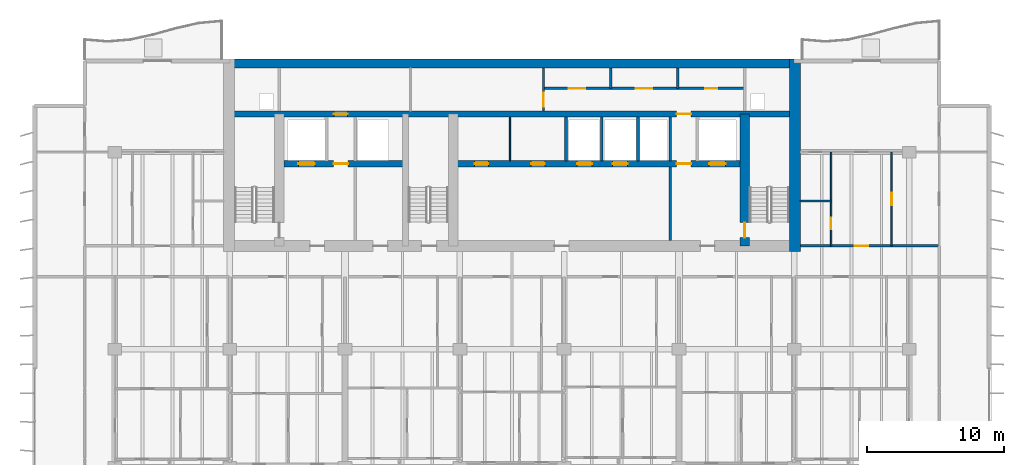
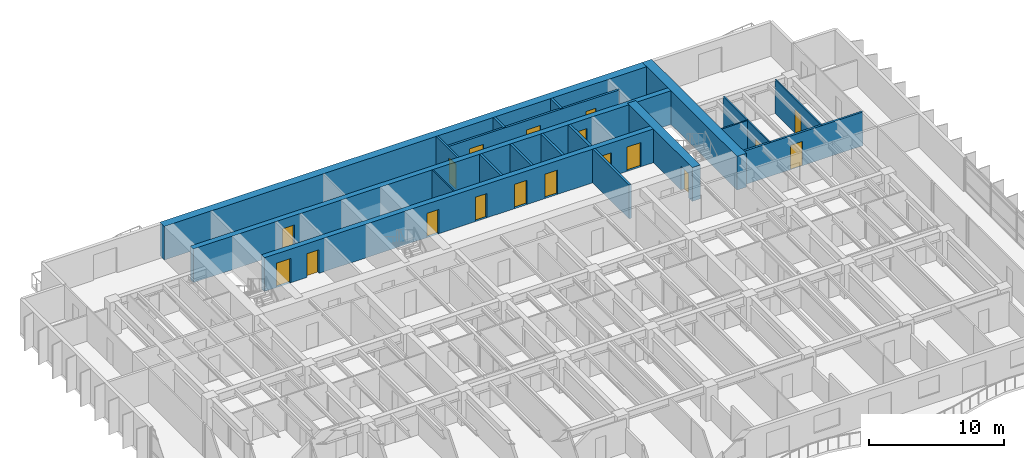
# One storey, part 12 of 18: 19 walls, 18 doors, 18 openings.
"""IFC4 building model written with IfcOpenShell, lengths in metres."""

from ifc_helpers import new_model, si_unit, direction, frame, frame_2d, origin, place, context, subcontext, project, spatial, rectangle, extrude, material, layer, layer_set, type_object, element, fill, save


model = new_model("IFC4")

# Units and contexts
model_context = context("Model", 3, precision=1e-05, world=origin(), true_north=direction((0.0, 1.0)))
body_context = subcontext(model_context, "Body", "Model", "MODEL_VIEW")
ifc_project = project(units=[si_unit("LENGTHUNIT", "METRE"), si_unit("AREAUNIT", "SQUARE_METRE"), si_unit("VOLUMEUNIT", "CUBIC_METRE"), si_unit("PLANEANGLEUNIT", "RADIAN"), si_unit("MASSUNIT", "GRAM", prefix="KILO")], contexts=[model_context])

# Site, building, storey
site_placement = place(None, origin())
site = spatial("IfcSite", under=ifc_project, at=site_placement, CompositionType="ELEMENT")
building_placement = place(site_placement, origin())
building = spatial("IfcBuilding", under=site, at=building_placement, Name="Caelmar Bay Residences", CompositionType="ELEMENT")
storey_placement = place(building_placement, frame((0.0, 0.0, 122.39990234375)))
storey = spatial("IfcBuildingStorey", under=building, at=storey_placement, Name="L33", CompositionType="ELEMENT", Elevation=122.39990234375)

# Wall, opening, door
ifc_material_1 = material(Name="Concrete f'c 55 MPa (8,000 psi)", Category="concrete")
ifc_layer_1 = layer(ifc_material_1, 0.699951171875)
ifc_layer_set_1 = layer_set([ifc_layer_1], Name="Concrete f'c 55 MPa (8,000 psi)")
wall_type_1 = type_object("IfcWallType", Name="SW-COR-700", PredefinedType="SHEAR", material=ifc_layer_set_1)
wall_1_placement = place(storey_placement, frame((55.89990234375, 36.949951171875, 0.0), z_axis=(0.0, 0.0, 1.0), x_axis=(0.0, 1.0, 0.0)))
wall_1 = element("IfcWall", 1, at=wall_1_placement, inside=storey, type_object=wall_type_1, Name="L33 Core Structural Web Wall ST2W", PredefinedType="SHEAR", context=body_context, shape_type="SweptSolid", body=[
    extrude(rectangle(XDim=9.625, YDim=0.699951171875, at=frame_2d((4.8125, 0.0))), origin(), (0.0, 0.0, 1.0), 3.050048828125),
])
opening_1_placement = place(wall_1_placement, frame((0.60009765625, 0.0, 0.0)))
opening_1 = element("IfcOpeningElement", 2, at=opening_1_placement, cuts=wall_1, Name="Opening D-L33-110", PredefinedType="OPENING", context=body_context, shape_type="SweptSolid", body=[
    extrude(rectangle(XDim=1.10009765625, YDim=2.14990234375, at=frame_2d((0.550048828125, 1.074951171875))), frame((0.0, 0.35986328125, 0.0), z_axis=(0.0, -1.0, 0.0), x_axis=(1.0, 0.0, 0.0)), (0.0, 0.0, 1.0), 0.719970703125),
])
ifc_material_2 = material(Name="Fire-rated steel and walnut architectural door assembly", Category="steel")
ifc_layer_2 = layer(ifc_material_2, 0.050048828125)
ifc_layer_set_2 = layer_set([ifc_layer_2], Name="Fire-rated steel and walnut architectural door assembly")
door_type_1 = type_object("IfcDoorType", Name="D-STAIR-1100", OperationType="NOTDEFINED", PredefinedType="DOOR", material=ifc_layer_set_2)
door_1_placement = place(opening_1_placement, origin())
door_1 = element("IfcDoor", 3, at=door_1_placement, inside=storey, type_object=door_type_1, Name="L33 Firefighting Lobby East Door", OperationType="SINGLE_SWING_RIGHT", OverallHeight=2.14990234375, OverallWidth=1.10009765625, PredefinedType="DOOR", context=body_context, shape_type="SweptSolid", body=[
    extrude(rectangle(XDim=1.10009765625, YDim=2.14990234375, at=frame_2d((0.550048828125, 1.074951171875))), frame((0.0, 0.02490234375, 0.0), z_axis=(0.0, -1.0, 0.0), x_axis=(1.0, 0.0, 0.0)), (0.0, 0.0, 1.0), 0.050048828125),
])
fill(opening_1, door_1)

# Walls
ifc_material_3 = material(Name="Concrete f'c 70 MPa (10,000 psi)", Category="concrete")
ifc_layer_3 = layer(ifc_material_3, 0.800048828125)
ifc_layer_set_3 = layer_set([ifc_layer_3], Name="Concrete f'c 70 MPa (10,000 psi)")
wall_type_2 = type_object("IfcWallType", Name="SW-COR-800", PredefinedType="SHEAR", material=ifc_layer_set_3)
wall_2_placement = place(storey_placement, frame((59.550048828125, 36.550048828125, 0.0), z_axis=(0.0, 0.0, 1.0), x_axis=(0.0, 1.0, 0.0)))
element("IfcWall", 4, at=wall_2_placement, inside=storey, type_object=wall_type_2, Name="L33 Rear Core East Shear Wall", PredefinedType="SHEAR", context=body_context, shape_type="SweptSolid", body=[
    extrude(rectangle(XDim=14.050048828125, YDim=0.800048828125, at=frame_2d((7.02490234375, 0.0))), origin(), (0.0, 0.0, 1.0), 3.050048828125),
])
ifc_layer_4 = layer(ifc_material_1, 0.64990234375)
ifc_layer_set_4 = layer_set([ifc_layer_4], Name="Concrete f'c 55 MPa (8,000 psi)")
wall_type_3 = type_object("IfcWallType", Name="SW-CORN-650", PredefinedType="SHEAR", material=ifc_layer_set_4)
wall_3_placement = place(storey_placement, frame((17.85009765625, 50.27490234375, 0.0), z_axis=(0.0, 0.0, 1.0), x_axis=(1.0, 0.0, 0.0)))
element("IfcWall", 5, at=wall_3_placement, inside=storey, type_object=wall_type_3, Name="L33 Rear Core North Shear Wall", PredefinedType="SHEAR", context=body_context, shape_type="SweptSolid", body=[
    extrude(rectangle(XDim=42.099853515625, YDim=0.64990234375, at=frame_2d((21.0498046875, 0.0))), origin(), (0.0, 0.0, 1.0), 3.050048828125),
])

# Wall, openings, doors
ifc_layer_5 = layer(ifc_material_3, 0.449951171875)
ifc_layer_set_5 = layer_set([ifc_layer_5], Name="Concrete f'c 70 MPa (10,000 psi)")
wall_type_4 = type_object("IfcWallType", Name="SW-WEB-450", PredefinedType="SHEAR", material=ifc_layer_set_5)
wall_4_placement = place(storey_placement, frame((22.25, 42.949951171875, 0.0), z_axis=(0.0, 0.0, 1.0), x_axis=(1.0, 0.0, 0.0)))
wall_4 = element("IfcWall", 6, at=wall_4_placement, inside=storey, type_object=wall_type_4, Name="L33 Core Structural Web Wall LFR", PredefinedType="SHEAR", context=body_context, shape_type="SweptSolid", body=[
    extrude(rectangle(XDim=33.300048828125, YDim=0.449951171875, at=frame_2d((16.64990234375, 0.0))), origin(), (0.0, 0.0, 1.0), 3.050048828125),
])
opening_2_placement = place(wall_4_placement, frame((1.050048828125, 0.0, 0.0)))
opening_2 = element("IfcOpeningElement", 7, at=opening_2_placement, cuts=wall_4, Name="Opening LD2", PredefinedType="OPENING", context=body_context, shape_type="SweptSolid", body=[
    extrude(rectangle(XDim=1.199951171875, YDim=2.199951171875, at=frame_2d((0.60009765625, 1.10009765625))), frame((0.0, 0.23486328125, 0.0), z_axis=(0.0, -1.0, 0.0), x_axis=(1.0, 0.0, 0.0)), (0.0, 0.0, 1.0), 0.469970703125),
])
opening_3_placement = place(wall_4_placement, frame((31.050048828125, 0.0, 0.0)))
opening_3 = element("IfcOpeningElement", 8, at=opening_3_placement, cuts=wall_4, Name="Opening LD2", PredefinedType="OPENING", context=body_context, shape_type="SweptSolid", body=[
    extrude(rectangle(XDim=1.199951171875, YDim=2.199951171875, at=frame_2d((0.60009765625, 1.10009765625))), frame((0.0, 0.23486328125, 0.0), z_axis=(0.0, -1.0, 0.0), x_axis=(1.0, 0.0, 0.0)), (0.0, 0.0, 1.0), 0.469970703125),
])
opening_4_placement = place(wall_4_placement, frame((21.39990234375, 0.0, 0.0)))
opening_4 = element("IfcOpeningElement", 9, at=opening_4_placement, cuts=wall_4, Name="Opening LD1", PredefinedType="OPENING", context=body_context, shape_type="SweptSolid", body=[
    extrude(rectangle(XDim=1.10009765625, YDim=2.199951171875, at=frame_2d((0.550048828125, 1.10009765625))), frame((0.0, 0.23486328125, 0.0), z_axis=(0.0, -1.0, 0.0), x_axis=(1.0, 0.0, 0.0)), (0.0, 0.0, 1.0), 0.469970703125),
])
opening_5_placement = place(wall_4_placement, frame((24.0, 0.0, 0.0)))
opening_5 = element("IfcOpeningElement", 10, at=opening_5_placement, cuts=wall_4, Name="Opening LD1", PredefinedType="OPENING", context=body_context, shape_type="SweptSolid", body=[
    extrude(rectangle(XDim=1.10009765625, YDim=2.199951171875, at=frame_2d((0.550048828125, 1.10009765625))), frame((0.0, 0.23486328125, 0.0), z_axis=(0.0, -1.0, 0.0), x_axis=(1.0, 0.0, 0.0)), (0.0, 0.0, 1.0), 0.469970703125),
])
opening_6_placement = place(wall_4_placement, frame((3.625, 0.0, 0.0)))
opening_6 = element("IfcOpeningElement", 11, at=opening_6_placement, cuts=wall_4, Name="Opening D-L33-108", PredefinedType="OPENING", context=body_context, shape_type="SweptSolid", body=[
    extrude(rectangle(XDim=1.050048828125, YDim=2.14990234375, at=frame_2d((0.52490234375, 1.074951171875))), frame((0.0, 0.23486328125, 0.0), z_axis=(0.0, -1.0, 0.0), x_axis=(1.0, 0.0, 0.0)), (0.0, 0.0, 1.0), 0.469970703125),
])
opening_7_placement = place(wall_4_placement, frame((28.675048828125, 0.0, 0.0)))
opening_7 = element("IfcOpeningElement", 12, at=opening_7_placement, cuts=wall_4, Name="Opening D-L33-111", PredefinedType="OPENING", context=body_context, shape_type="SweptSolid", body=[
    extrude(rectangle(XDim=1.050048828125, YDim=2.14990234375, at=frame_2d((0.52490234375, 1.074951171875))), frame((0.0, 0.23486328125, 0.0), z_axis=(0.0, -1.0, 0.0), x_axis=(1.0, 0.0, 0.0)), (0.0, 0.0, 1.0), 0.469970703125),
])
opening_8_placement = place(wall_4_placement, frame((13.925048828125, 0.0, 0.0)))
opening_8 = element("IfcOpeningElement", 13, at=opening_8_placement, cuts=wall_4, Name="Opening D-L33-114", PredefinedType="OPENING", context=body_context, shape_type="SweptSolid", body=[
    extrude(rectangle(XDim=1.0, YDim=2.199951171875, at=frame_2d((0.5, 1.10009765625))), frame((0.0, 0.23486328125, 0.0), z_axis=(0.0, -1.0, 0.0), x_axis=(1.0, 0.0, 0.0)), (0.0, 0.0, 1.0), 0.469970703125),
])
opening_9_placement = place(wall_4_placement, frame((18.050048828125, 0.0, 0.0)))
opening_9 = element("IfcOpeningElement", 14, at=opening_9_placement, cuts=wall_4, Name="Opening D-L33-115", PredefinedType="OPENING", context=body_context, shape_type="SweptSolid", body=[
    extrude(rectangle(XDim=1.0, YDim=2.199951171875, at=frame_2d((0.5, 1.10009765625))), frame((0.0, 0.23486328125, 0.0), z_axis=(0.0, -1.0, 0.0), x_axis=(1.0, 0.0, 0.0)), (0.0, 0.0, 1.0), 0.469970703125),
])
ifc_layer_6 = layer(ifc_material_2, 0.050048828125)
ifc_layer_set_6 = layer_set([ifc_layer_6], Name="Fire-rated steel and walnut architectural door assembly")
door_type_2 = type_object("IfcDoorType", Name="D-FSAE-1050", OperationType="NOTDEFINED", PredefinedType="DOOR", material=ifc_layer_set_6)
door_2_placement = place(opening_6_placement, origin())
door_2 = element("IfcDoor", 15, at=door_2_placement, inside=storey, type_object=door_type_2, Name="L33 Firefighting Lobby West Door", OperationType="SINGLE_SWING_RIGHT", OverallHeight=2.14990234375, OverallWidth=1.050048828125, PredefinedType="DOOR", context=body_context, shape_type="SweptSolid", body=[
    extrude(rectangle(XDim=1.050048828125, YDim=2.14990234375, at=frame_2d((0.52490234375, 1.074951171875))), frame((0.0, 0.02490234375, 0.0), z_axis=(0.0, -1.0, 0.0), x_axis=(1.0, 0.0, 0.0)), (0.0, 0.0, 1.0), 0.050048828125),
])
fill(opening_6, door_2)
door_3_placement = place(opening_7_placement, origin())
door_3 = element("IfcDoor", 16, at=door_3_placement, inside=storey, type_object=door_type_2, Name="L33 Firefighting Lobby East Door", OperationType="SINGLE_SWING_LEFT", OverallHeight=2.14990234375, OverallWidth=1.050048828125, PredefinedType="DOOR", context=body_context, shape_type="SweptSolid", body=[
    extrude(rectangle(XDim=1.050048828125, YDim=2.14990234375, at=frame_2d((0.52490234375, 1.074951171875))), frame((0.0, 0.02490234375, 0.0), z_axis=(0.0, -1.0, 0.0), x_axis=(1.0, 0.0, 0.0)), (0.0, 0.0, 1.0), 0.050048828125),
])
fill(opening_7, door_3)
ifc_material_4 = material(Name="Brushed bronze stainless-steel fire-rated lift landing doors", Category="steel")
ifc_layer_7 = layer(ifc_material_4, 0.050048828125)
ifc_layer_set_7 = layer_set([ifc_layer_7], Name="Brushed bronze stainless-steel fire-rated lift landing doors")
door_type_3 = type_object("IfcDoorType", Name="D-LND-1100", OperationType="DOUBLE_DOOR_SLIDING", PredefinedType="DOOR", material=ifc_layer_set_7)
door_4_placement = place(opening_4_placement, origin())
door_4 = element("IfcDoor", 17, at=door_4_placement, inside=storey, type_object=door_type_3, Name="L33 LP4 Sliding Landing Door", OperationType="DOUBLE_DOOR_SLIDING", OverallHeight=2.199951171875, OverallWidth=1.10009765625, PredefinedType="DOOR", context=body_context, shape_type="SweptSolid", body=[
    extrude(rectangle(XDim=1.10009765625, YDim=2.199951171875, at=frame_2d((0.550048828125, 1.10009765625))), frame((0.0, 0.02490234375, 0.0), z_axis=(0.0, -1.0, 0.0), x_axis=(1.0, 0.0, 0.0)), (0.0, 0.0, 1.0), 0.050048828125),
])
fill(opening_4, door_4)
door_5_placement = place(opening_5_placement, origin())
door_5 = element("IfcDoor", 18, at=door_5_placement, inside=storey, type_object=door_type_3, Name="L33 LP5 Sliding Landing Door", OperationType="DOUBLE_DOOR_SLIDING", OverallHeight=2.199951171875, OverallWidth=1.10009765625, PredefinedType="DOOR", context=body_context, shape_type="SweptSolid", body=[
    extrude(rectangle(XDim=1.10009765625, YDim=2.199951171875, at=frame_2d((0.550048828125, 1.10009765625))), frame((0.0, 0.02490234375, 0.0), z_axis=(0.0, -1.0, 0.0), x_axis=(1.0, 0.0, 0.0)), (0.0, 0.0, 1.0), 0.050048828125),
])
fill(opening_5, door_5)
ifc_material_5 = material(Name="Brushed stainless-steel FSAE sliding landing door", Category="steel")
ifc_layer_8 = layer(ifc_material_5, 0.050048828125)
ifc_layer_set_8 = layer_set([ifc_layer_8], Name="Brushed stainless-steel FSAE sliding landing door")
door_type_4 = type_object("IfcDoorType", Name="D-LND-1200", OperationType="DOUBLE_DOOR_SLIDING", PredefinedType="DOOR", material=ifc_layer_set_8)
door_6_placement = place(opening_2_placement, origin())
door_6 = element("IfcDoor", 19, at=door_6_placement, inside=storey, type_object=door_type_4, Name="L33 LF1 Sliding Landing Door", OperationType="DOUBLE_DOOR_SLIDING", OverallHeight=2.199951171875, OverallWidth=1.199951171875, PredefinedType="DOOR", context=body_context, shape_type="SweptSolid", body=[
    extrude(rectangle(XDim=1.199951171875, YDim=2.199951171875, at=frame_2d((0.60009765625, 1.10009765625))), frame((0.0, 0.02490234375, 0.0), z_axis=(0.0, -1.0, 0.0), x_axis=(1.0, 0.0, 0.0)), (0.0, 0.0, 1.0), 0.050048828125),
])
fill(opening_2, door_6)
door_7_placement = place(opening_3_placement, origin())
door_7 = element("IfcDoor", 20, at=door_7_placement, inside=storey, type_object=door_type_4, Name="L33 LF2 Sliding Landing Door", OperationType="DOUBLE_DOOR_SLIDING", OverallHeight=2.199951171875, OverallWidth=1.199951171875, PredefinedType="DOOR", context=body_context, shape_type="SweptSolid", body=[
    extrude(rectangle(XDim=1.199951171875, YDim=2.199951171875, at=frame_2d((0.60009765625, 1.10009765625))), frame((0.0, 0.02490234375, 0.0), z_axis=(0.0, -1.0, 0.0), x_axis=(1.0, 0.0, 0.0)), (0.0, 0.0, 1.0), 0.050048828125),
])
fill(opening_3, door_7)
ifc_layer_9 = layer(ifc_material_2, 0.050048828125)
ifc_layer_set_9 = layer_set([ifc_layer_9], Name="Fire-rated steel and walnut architectural door assembly")
door_type_5 = type_object("IfcDoorType", Name="D-UNIT-1000", OperationType="NOTDEFINED", PredefinedType="DOOR", material=ifc_layer_set_9)
door_8_placement = place(opening_8_placement, origin())
door_8 = element("IfcDoor", 21, at=door_8_placement, inside=storey, type_object=door_type_5, Name="L33 Residents Study Room Door", OperationType="SINGLE_SWING_RIGHT", OverallHeight=2.199951171875, OverallWidth=1.0, PredefinedType="DOOR", context=body_context, shape_type="SweptSolid", body=[
    extrude(rectangle(XDim=1.0, YDim=2.199951171875, at=frame_2d((0.5, 1.10009765625))), frame((0.0, 0.02490234375, 0.0), z_axis=(0.0, -1.0, 0.0), x_axis=(1.0, 0.0, 0.0)), (0.0, 0.0, 1.0), 0.050048828125),
])
fill(opening_8, door_8)
door_9_placement = place(opening_9_placement, origin())
door_9 = element("IfcDoor", 22, at=door_9_placement, inside=storey, type_object=door_type_5, Name="L33 Wine Tasting Room Door", OperationType="SINGLE_SWING_LEFT", OverallHeight=2.199951171875, OverallWidth=1.0, PredefinedType="DOOR", context=body_context, shape_type="SweptSolid", body=[
    extrude(rectangle(XDim=1.0, YDim=2.199951171875, at=frame_2d((0.5, 1.10009765625))), frame((0.0, 0.02490234375, 0.0), z_axis=(0.0, -1.0, 0.0), x_axis=(1.0, 0.0, 0.0)), (0.0, 0.0, 1.0), 0.050048828125),
])
fill(opening_9, door_9)

wall_5_placement = place(storey_placement, frame((18.25, 46.574951171875, 0.0), z_axis=(0.0, 0.0, 1.0), x_axis=(1.0, 0.0, 0.0)))
wall_5 = element("IfcWall", 23, at=wall_5_placement, inside=storey, type_object=wall_type_4, Name="L33 Core Structural Web Wall SRVS", PredefinedType="SHEAR", context=body_context, shape_type="SweptSolid", body=[
    extrude(rectangle(XDim=41.300048828125, YDim=0.449951171875, at=frame_2d((20.64990234375, 0.0))), origin(), (0.0, 0.0, 1.0), 3.050048828125),
])
opening_10_placement = place(wall_5_placement, frame((7.64990234375, 0.0, 0.0)))
opening_10 = element("IfcOpeningElement", 24, at=opening_10_placement, cuts=wall_5, Name="Opening D-L33-116", PredefinedType="OPENING", context=body_context, shape_type="SweptSolid", body=[
    extrude(rectangle(XDim=1.0, YDim=2.199951171875, at=frame_2d((0.5, 1.10009765625))), frame((0.0, 0.23486328125, 0.0), z_axis=(0.0, -1.0, 0.0), x_axis=(1.0, 0.0, 0.0)), (0.0, 0.0, 1.0), 0.469970703125),
])
opening_11_placement = place(wall_5_placement, frame((32.675048828125, 0.0, 0.0)))
opening_11 = element("IfcOpeningElement", 25, at=opening_11_placement, cuts=wall_5, Name="Opening D-L33-117", PredefinedType="OPENING", context=body_context, shape_type="SweptSolid", body=[
    extrude(rectangle(XDim=1.050048828125, YDim=2.14990234375, at=frame_2d((0.52490234375, 1.074951171875))), frame((0.0, 0.23486328125, 0.0), z_axis=(0.0, -1.0, 0.0), x_axis=(1.0, 0.0, 0.0)), (0.0, 0.0, 1.0), 0.469970703125),
])
door_10_placement = place(opening_11_placement, origin())
door_10 = element("IfcDoor", 26, at=door_10_placement, inside=storey, type_object=door_type_2, Name="L33 East Core Service Corridor Door", OperationType="SINGLE_SWING_LEFT", OverallHeight=2.14990234375, OverallWidth=1.050048828125, PredefinedType="DOOR", context=body_context, shape_type="SweptSolid", body=[
    extrude(rectangle(XDim=1.050048828125, YDim=2.14990234375, at=frame_2d((0.52490234375, 1.074951171875))), frame((0.0, 0.02490234375, 0.0), z_axis=(0.0, -1.0, 0.0), x_axis=(1.0, 0.0, 0.0)), (0.0, 0.0, 1.0), 0.050048828125),
])
fill(opening_11, door_10)
door_11_placement = place(opening_10_placement, origin())
door_11 = element("IfcDoor", 27, at=door_11_placement, inside=storey, type_object=door_type_5, Name="L33 Package Concierge Office Door", OperationType="SINGLE_SWING_RIGHT", OverallHeight=2.199951171875, OverallWidth=1.0, PredefinedType="DOOR", context=body_context, shape_type="SweptSolid", body=[
    extrude(rectangle(XDim=1.0, YDim=2.199951171875, at=frame_2d((0.5, 1.10009765625))), frame((0.0, 0.02490234375, 0.0), z_axis=(0.0, -1.0, 0.0), x_axis=(1.0, 0.0, 0.0)), (0.0, 0.0, 1.0), 0.050048828125),
])
fill(opening_10, door_11)

# Wall, opening, door
ifc_material_6 = material(Name="Double-stud acoustic fire-rated gypsum partition 180 mm")
ifc_layer_10 = layer(ifc_material_6, 0.179931640625)
ifc_layer_set_10 = layer_set([ifc_layer_10], Name="Double-stud acoustic fire-rated gypsum partition 180 mm")
wall_type_5 = type_object("IfcWallType", Name="W-COR-200", PredefinedType="PARTITIONING", material=ifc_layer_set_10)
wall_6_placement = place(storey_placement, frame((41.199951171875, 46.794921875, 0.0), z_axis=(0.0, 0.0, 1.0), x_axis=(0.0, 1.0, 0.0)))
wall_6 = element("IfcWall", 28, at=wall_6_placement, inside=storey, type_object=wall_type_5, Name="L33 Partition Wall V062", PredefinedType="PARTITIONING", context=body_context, shape_type="SweptSolid", body=[
    extrude(rectangle(XDim=3.16015625, YDim=0.179931640625, at=frame_2d((1.580078125, 0.0))), origin(), (0.0, 0.0, 1.0), 3.050048828125),
])
opening_12_placement = place(wall_6_placement, frame((0.327392578125, 0.0, 0.0)))
opening_12 = element("IfcOpeningElement", 29, at=opening_12_placement, cuts=wall_6, Name="Opening D-L33-118", PredefinedType="OPENING", context=body_context, shape_type="SweptSolid", body=[
    extrude(rectangle(XDim=1.0, YDim=2.199951171875, at=frame_2d((0.5, 1.10009765625))), frame((0.0, 0.099853515625, 0.0), z_axis=(0.0, -1.0, 0.0), x_axis=(1.0, 0.0, 0.0)), (0.0, 0.0, 1.0), 0.199951171875),
])
door_12_placement = place(opening_12_placement, origin())
door_12 = element("IfcDoor", 30, at=door_12_placement, inside=storey, type_object=door_type_5, Name="L33 Engineering Control Office Door", OperationType="SINGLE_SWING_RIGHT", OverallHeight=2.199951171875, OverallWidth=1.0, PredefinedType="DOOR", context=body_context, shape_type="SweptSolid", body=[
    extrude(rectangle(XDim=1.0, YDim=2.199951171875, at=frame_2d((0.5, 1.10009765625))), frame((0.0, 0.02490234375, 0.0), z_axis=(0.0, -1.0, 0.0), x_axis=(1.0, 0.0, 0.0)), (0.0, 0.0, 1.0), 0.050048828125),
])
fill(opening_12, door_12)

# Walls
for number, where, z_axis, x_axis, name in (
    (31, (46.10009765625, 48.449951171875, 0.0), (0.0, 0.0, 1.0), (0.0, 1.0, 0.0), "L33 Partition Wall V071"),
    (32, (51.0, 48.449951171875, 0.0), (0.0, 0.0, 1.0), (0.0, 1.0, 0.0), "L33 Partition Wall V081"),
):
    element("IfcWall", number, at=place(storey_placement, frame(where, z_axis=z_axis, x_axis=x_axis)), inside=storey, type_object=wall_type_5, Name=name, PredefinedType="PARTITIONING", context=body_context, shape_type="SweptSolid", body=[
        extrude(rectangle(XDim=1.505126953125, YDim=0.179931640625, at=frame_2d((0.75244140625, 0.0))), origin(), (0.0, 0.0, 1.0), 3.050048828125),
    ])

# Wall, opening, door
wall_7_placement = place(storey_placement, frame((59.955078125, 36.949951171875, 0.0), z_axis=(0.0, 0.0, 1.0), x_axis=(1.0, 0.0, 0.0)))
wall_7 = element("IfcWall", 33, at=wall_7_placement, inside=storey, type_object=wall_type_5, Name="L33 Partition Wall H147", PredefinedType="PARTITIONING", context=body_context, shape_type="SweptSolid", body=[
    extrude(rectangle(XDim=10.14501953125, YDim=0.179931640625, at=frame_2d((5.072509765625, 0.0))), origin(), (0.0, 0.0, 1.0), 3.050048828125),
])
opening_13_placement = place(wall_7_placement, frame((3.95703125, 0.0, 0.0)))
opening_13 = element("IfcOpeningElement", 34, at=opening_13_placement, cuts=wall_7, Name="Opening D-L33-182", PredefinedType="OPENING", context=body_context, shape_type="SweptSolid", body=[
    extrude(rectangle(XDim=1.0, YDim=2.199951171875, at=frame_2d((0.5, 1.10009765625))), frame((0.0, 0.099853515625, 0.0), z_axis=(0.0, -1.0, 0.0), x_axis=(1.0, 0.0, 0.0)), (0.0, 0.0, 1.0), 0.199951171875),
])
door_13_placement = place(opening_13_placement, origin())
door_13 = element("IfcDoor", 35, at=door_13_placement, inside=storey, type_object=door_type_5, Name="L33 Residence EA Kitchen Door", OperationType="SINGLE_SWING_RIGHT", OverallHeight=2.199951171875, OverallWidth=1.0, PredefinedType="DOOR", context=body_context, shape_type="SweptSolid", body=[
    extrude(rectangle(XDim=1.0, YDim=2.199951171875, at=frame_2d((0.5, 1.10009765625))), frame((0.0, 0.02490234375, 0.0), z_axis=(0.0, -1.0, 0.0), x_axis=(1.0, 0.0, 0.0)), (0.0, 0.0, 1.0), 0.050048828125),
])
fill(opening_13, door_13)

# Wall, openings, doors
wall_8_placement = place(storey_placement, frame((41.199951171875, 48.449951171875, 0.0), z_axis=(0.0, 0.0, 1.0), x_axis=(1.0, 0.0, 0.0)))
wall_8 = element("IfcWall", 36, at=wall_8_placement, inside=storey, type_object=wall_type_5, Name="L33 Partition Wall H152", PredefinedType="PARTITIONING", context=body_context, shape_type="SweptSolid", body=[
    extrude(rectangle(XDim=14.699951171875, YDim=0.179931640625, at=frame_2d((7.35009765625, 0.0))), origin(), (0.0, 0.0, 1.0), 3.050048828125),
])
opening_14_placement = place(wall_8_placement, frame((1.85009765625, 0.0, 0.0)))
opening_14 = element("IfcOpeningElement", 37, at=opening_14_placement, cuts=wall_8, Name="Opening D-L33-119", PredefinedType="OPENING", context=body_context, shape_type="SweptSolid", body=[
    extrude(rectangle(XDim=1.199951171875, YDim=2.199951171875, at=frame_2d((0.60009765625, 1.10009765625))), frame((0.0, 0.099853515625, 0.0), z_axis=(0.0, -1.0, 0.0), x_axis=(1.0, 0.0, 0.0)), (0.0, 0.0, 1.0), 0.199951171875),
])
opening_15_placement = place(wall_8_placement, frame((6.75, 0.0, 0.0)))
opening_15 = element("IfcOpeningElement", 38, at=opening_15_placement, cuts=wall_8, Name="Opening D-L33-120", PredefinedType="OPENING", context=body_context, shape_type="SweptSolid", body=[
    extrude(rectangle(XDim=1.199951171875, YDim=2.199951171875, at=frame_2d((0.60009765625, 1.10009765625))), frame((0.0, 0.099853515625, 0.0), z_axis=(0.0, -1.0, 0.0), x_axis=(1.0, 0.0, 0.0)), (0.0, 0.0, 1.0), 0.199951171875),
])
opening_16_placement = place(wall_8_placement, frame((11.824951171875, 0.0, 0.0)))
opening_16 = element("IfcOpeningElement", 39, at=opening_16_placement, cuts=wall_8, Name="Opening D-L33-121", PredefinedType="OPENING", context=body_context, shape_type="SweptSolid", body=[
    extrude(rectangle(XDim=0.85009765625, YDim=2.10009765625, at=frame_2d((0.425048828125, 1.050048828125))), frame((0.0, 0.099853515625, 0.0), z_axis=(0.0, -1.0, 0.0), x_axis=(1.0, 0.0, 0.0)), (0.0, 0.0, 1.0), 0.199951171875),
])
ifc_layer_11 = layer(ifc_material_2, 0.050048828125)
ifc_layer_set_11 = layer_set([ifc_layer_11], Name="Fire-rated steel and walnut architectural door assembly")
door_type_6 = type_object("IfcDoorType", Name="D-CORE-850", OperationType="NOTDEFINED", PredefinedType="DOOR", material=ifc_layer_set_11)
door_14_placement = place(opening_16_placement, origin())
door_14 = element("IfcDoor", 40, at=door_14_placement, inside=storey, type_object=door_type_6, Name="L33 Accessible Staff WC Door", OperationType="SINGLE_SWING_LEFT", OverallHeight=2.10009765625, OverallWidth=0.85009765625, PredefinedType="DOOR", context=body_context, shape_type="SweptSolid", body=[
    extrude(rectangle(XDim=0.85009765625, YDim=2.10009765625, at=frame_2d((0.425048828125, 1.050048828125))), frame((0.0, 0.02490234375, 0.0), z_axis=(0.0, -1.0, 0.0), x_axis=(1.0, 0.0, 0.0)), (0.0, 0.0, 1.0), 0.050048828125),
])
fill(opening_16, door_14)
ifc_layer_12 = layer(ifc_material_2, 0.050048828125)
ifc_layer_set_12 = layer_set([ifc_layer_12], Name="Fire-rated steel and walnut architectural door assembly")
door_type_7 = type_object("IfcDoorType", Name="D-PLANT-1200", OperationType="NOTDEFINED", PredefinedType="DOOR", material=ifc_layer_set_12)
door_15_placement = place(opening_14_placement, origin())
door_15 = element("IfcDoor", 41, at=door_15_placement, inside=storey, type_object=door_type_7, Name="L33 Electrical Closet Door", OperationType="SINGLE_SWING_LEFT", OverallHeight=2.199951171875, OverallWidth=1.199951171875, PredefinedType="DOOR", context=body_context, shape_type="SweptSolid", body=[
    extrude(rectangle(XDim=1.199951171875, YDim=2.199951171875, at=frame_2d((0.60009765625, 1.10009765625))), frame((0.0, 0.02490234375, 0.0), z_axis=(0.0, -1.0, 0.0), x_axis=(1.0, 0.0, 0.0)), (0.0, 0.0, 1.0), 0.050048828125),
])
fill(opening_14, door_15)
door_16_placement = place(opening_15_placement, origin())
door_16 = element("IfcDoor", 42, at=door_16_placement, inside=storey, type_object=door_type_7, Name="L33 Housekeeping Linen Closet Door", OperationType="SINGLE_SWING_RIGHT", OverallHeight=2.199951171875, OverallWidth=1.199951171875, PredefinedType="DOOR", context=body_context, shape_type="SweptSolid", body=[
    extrude(rectangle(XDim=1.199951171875, YDim=2.199951171875, at=frame_2d((0.60009765625, 1.10009765625))), frame((0.0, 0.02490234375, 0.0), z_axis=(0.0, -1.0, 0.0), x_axis=(1.0, 0.0, 0.0)), (0.0, 0.0, 1.0), 0.050048828125),
])
fill(opening_15, door_16)

# Walls
ifc_material_7 = material(Name="Fire-rated masonry and gypsum shaftliner assembly 200 mm", Category="masonry")
ifc_layer_13 = layer(ifc_material_7, 0.199951171875)
ifc_layer_set_13 = layer_set([ifc_layer_13], Name="Fire-rated masonry and gypsum shaftliner assembly 200 mm")
wall_type_6 = type_object("IfcWallType", Name="W-FSAE-200", PredefinedType="PARTITIONING", material=ifc_layer_set_13)
for number, where, z_axis, x_axis, name in (
    (43, (42.85009765625, 43.169921875, 0.0), (0.0, 0.0, 1.0), (0.0, 1.0, 0.0), "L33 Partition Wall V069"),
    (44, (45.449951171875, 43.169921875, 0.0), (0.0, 0.0, 1.0), (0.0, 1.0, 0.0), "L33 Partition Wall V070"),
    (45, (48.10009765625, 43.169921875, 0.0), (0.0, 0.0, 1.0), (0.0, 1.0, 0.0), "L33 Partition Wall V077"),
):
    element("IfcWall", number, at=place(storey_placement, frame(where, z_axis=z_axis, x_axis=x_axis)), inside=storey, type_object=wall_type_6, Name=name, PredefinedType="PARTITIONING", context=body_context, shape_type="SweptSolid", body=[
        extrude(rectangle(XDim=3.18505859375, YDim=0.199951171875, at=frame_2d((1.592529296875, 0.0))), origin(), (0.0, 0.0, 1.0), 3.050048828125),
    ])
wall_9_placement = place(storey_placement, frame((50.449951171875, 37.344970703125, 0.0), z_axis=(0.0, 0.0, 1.0), x_axis=(0.0, 1.0, 0.0)))
element("IfcWall", 46, at=wall_9_placement, inside=storey, type_object=wall_type_6, Name="L33 Partition Wall V079", PredefinedType="PARTITIONING", context=body_context, shape_type="SweptSolid", body=[
    extrude(rectangle(XDim=5.385009765625, YDim=0.199951171875, at=frame_2d((2.6923828125, 0.0))), origin(), (0.0, 0.0, 1.0), 3.050048828125),
])
wall_10_placement = place(storey_placement, frame((50.449951171875, 43.169921875, 0.0), z_axis=(0.0, 0.0, 1.0), x_axis=(0.0, 1.0, 0.0)))
element("IfcWall", 47, at=wall_10_placement, inside=storey, type_object=wall_type_6, Name="L33 Partition Wall V080", PredefinedType="PARTITIONING", context=body_context, shape_type="SweptSolid", body=[
    extrude(rectangle(XDim=3.18505859375, YDim=0.199951171875, at=frame_2d((1.592529296875, 0.0))), origin(), (0.0, 0.0, 1.0), 3.050048828125),
])
ifc_material_8 = material(Name="Anodised bronze framed acoustic sliding study partition 100 mm")
ifc_layer_14 = layer(ifc_material_8, 0.10009765625)
ifc_layer_set_14 = layer_set([ifc_layer_14], Name="Anodised bronze framed acoustic sliding study partition 100 mm")
wall_type_7 = type_object("IfcWallType", Name="W-MOV-100", PredefinedType="MOVABLE", material=ifc_layer_set_14)
wall_11_placement = place(storey_placement, frame((38.75, 43.169921875, 0.0), z_axis=(0.0, 0.0, 1.0), x_axis=(0.0, 1.0, 0.0)))
element("IfcWall", 48, at=wall_11_placement, inside=storey, type_object=wall_type_7, Name="L33 Partition Wall V055", PredefinedType="MOVABLE", context=body_context, shape_type="SweptSolid", body=[
    extrude(rectangle(XDim=3.18505859375, YDim=0.10009765625, at=frame_2d((1.592529296875, 0.0))), origin(), (0.0, 0.0, 1.0), 3.050048828125),
])

# Wall, opening, door
ifc_material_9 = material(Name="Acoustic metal-stud gypsum partition 120 mm")
ifc_layer_15 = layer(ifc_material_9, 0.1201171875)
ifc_layer_set_15 = layer_set([ifc_layer_15], Name="Acoustic metal-stud gypsum partition 120 mm")
wall_type_8 = type_object("IfcWallType", Name="W-PRT-120", PredefinedType="PARTITIONING", material=ifc_layer_set_15)
wall_12_placement = place(storey_placement, frame((62.199951171875, 36.949951171875, 0.0), z_axis=(0.0, 0.0, 1.0), x_axis=(0.0, 1.0, 0.0)))
wall_12 = element("IfcWall", 49, at=wall_12_placement, inside=storey, type_object=wall_type_8, Name="L33 Partition Wall V099", PredefinedType="PARTITIONING", context=body_context, shape_type="SweptSolid", body=[
    extrude(rectangle(XDim=6.85009765625, YDim=0.1201171875, at=frame_2d((3.425048828125, 0.0))), origin(), (0.0, 0.0, 1.0), 3.050048828125),
])
opening_17_placement = place(wall_12_placement, frame((1.218994140625, 0.0, 0.0)))
opening_17 = element("IfcOpeningElement", 50, at=opening_17_placement, cuts=wall_12, Name="Opening D-L33-184", PredefinedType="OPENING", context=body_context, shape_type="SweptSolid", body=[
    extrude(rectangle(XDim=0.85009765625, YDim=2.10009765625, at=frame_2d((0.425048828125, 1.050048828125))), frame((0.0, 0.070068359375, 0.0), z_axis=(0.0, -1.0, 0.0), x_axis=(1.0, 0.0, 0.0)), (0.0, 0.0, 1.0), 0.14013671875),
])
ifc_material_10 = material(Name="Solid walnut timber interior door leaf and frame", Category="wood")
ifc_layer_16 = layer(ifc_material_10, 0.050048828125)
ifc_layer_set_16 = layer_set([ifc_layer_16], Name="Solid walnut timber interior door leaf and frame")
door_type_8 = type_object("IfcDoorType", Name="D-BATH-850", OperationType="NOTDEFINED", PredefinedType="DOOR", material=ifc_layer_set_16)
door_17_placement = place(opening_17_placement, origin())
door_17 = element("IfcDoor", 51, at=door_17_placement, inside=storey, type_object=door_type_8, Name="L33 Residence EA Walk-In Closet Door", OperationType="SINGLE_SWING_RIGHT", OverallHeight=2.10009765625, OverallWidth=0.85009765625, PredefinedType="DOOR", context=body_context, shape_type="SweptSolid", body=[
    extrude(rectangle(XDim=0.85009765625, YDim=2.10009765625, at=frame_2d((0.425048828125, 1.050048828125))), frame((0.0, 0.02490234375, 0.0), z_axis=(0.0, -1.0, 0.0), x_axis=(1.0, 0.0, 0.0)), (0.0, 0.0, 1.0), 0.050048828125),
])
fill(opening_17, door_17)

wall_13_placement = place(storey_placement, frame((66.6240234375, 36.949951171875, 0.0), z_axis=(0.0, 0.0, 1.0), x_axis=(0.0, 1.0, 0.0)))
wall_13 = element("IfcWall", 52, at=wall_13_placement, inside=storey, type_object=wall_type_8, Name="L33 Partition Wall V106", PredefinedType="PARTITIONING", context=body_context, shape_type="SweptSolid", body=[
    extrude(rectangle(XDim=6.85009765625, YDim=0.1201171875, at=frame_2d((3.425048828125, 0.0))), origin(), (0.0, 0.0, 1.0), 3.050048828125),
])
opening_18_placement = place(wall_13_placement, frame((2.97509765625, 0.0, 0.0)))
opening_18 = element("IfcOpeningElement", 53, at=opening_18_placement, cuts=wall_13, Name="Opening D-L33-181", PredefinedType="OPENING", context=body_context, shape_type="SweptSolid", body=[
    extrude(rectangle(XDim=0.89990234375, YDim=2.14990234375, at=frame_2d((0.449951171875, 1.074951171875))), frame((0.0, 0.070068359375, 0.0), z_axis=(0.0, -1.0, 0.0), x_axis=(1.0, 0.0, 0.0)), (0.0, 0.0, 1.0), 0.14013671875),
])
ifc_layer_17 = layer(ifc_material_10, 0.050048828125)
ifc_layer_set_17 = layer_set([ifc_layer_17], Name="Solid walnut timber interior door leaf and frame")
door_type_9 = type_object("IfcDoorType", Name="D-ROOM-900", OperationType="NOTDEFINED", PredefinedType="DOOR", material=ifc_layer_set_17)
door_18_placement = place(opening_18_placement, origin())
door_18 = element("IfcDoor", 54, at=door_18_placement, inside=storey, type_object=door_type_9, Name="L33 Residence EA Dining Room Door", OperationType="SINGLE_SWING_LEFT", OverallHeight=2.14990234375, OverallWidth=0.89990234375, PredefinedType="DOOR", context=body_context, shape_type="SweptSolid", body=[
    extrude(rectangle(XDim=0.89990234375, YDim=2.14990234375, at=frame_2d((0.449951171875, 1.074951171875))), frame((0.0, 0.02490234375, 0.0), z_axis=(0.0, -1.0, 0.0), x_axis=(1.0, 0.0, 0.0)), (0.0, 0.0, 1.0), 0.050048828125),
])
fill(opening_18, door_18)

# Wall
wall_14_placement = place(storey_placement, frame((59.945068359375, 40.238037109375, 0.0), z_axis=(0.0, 0.0, 1.0), x_axis=(1.0, 0.0, 0.0)))
element("IfcWall", 55, at=wall_14_placement, inside=storey, type_object=wall_type_8, Name="L33 Partition Wall H149", PredefinedType="PARTITIONING", context=body_context, shape_type="SweptSolid", body=[
    extrude(rectangle(XDim=2.2548828125, YDim=0.1201171875, at=frame_2d((1.12744140625, 0.0))), origin(), (0.0, 0.0, 1.0), 3.050048828125),
])

save(model, "model.ifc")
